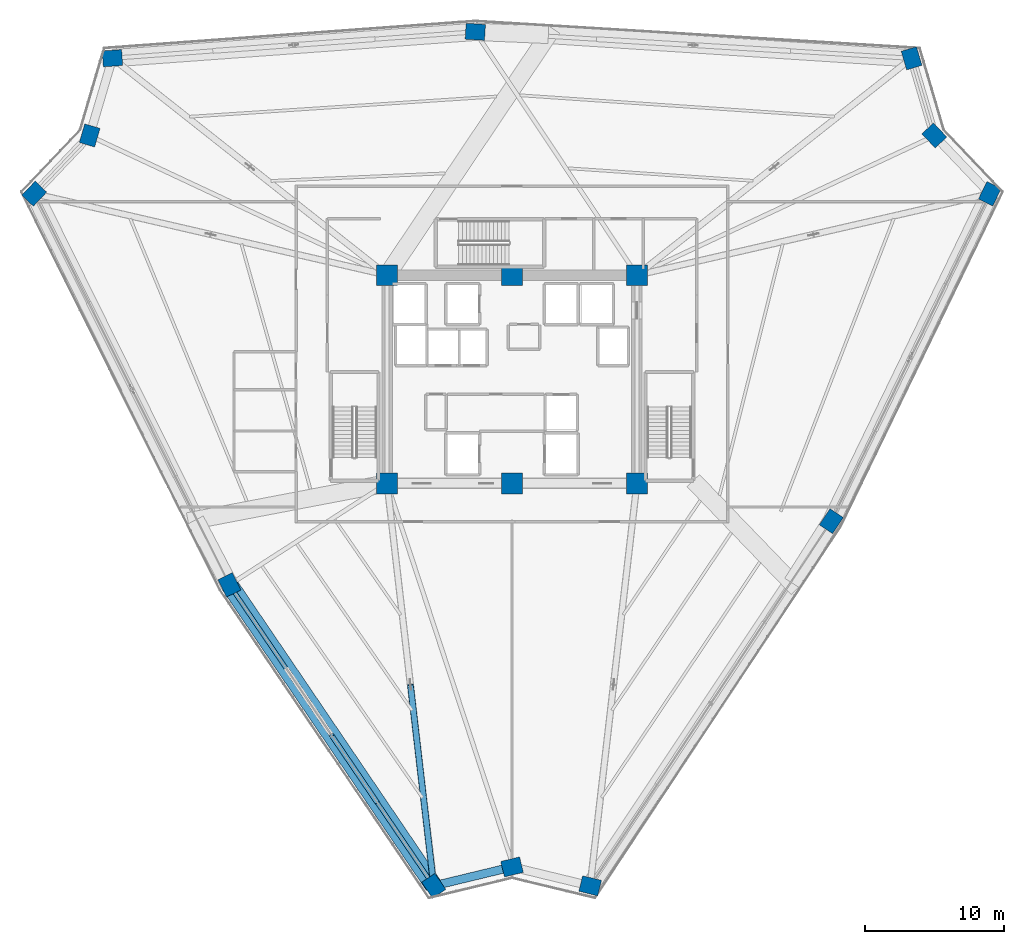
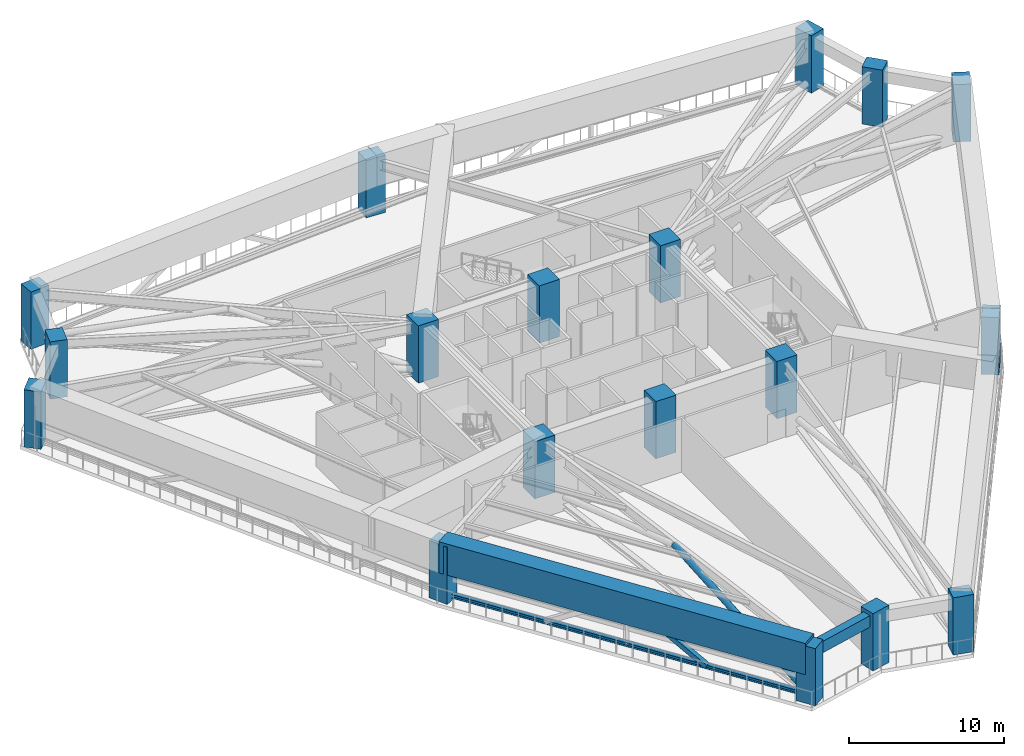
# One storey, part 1 of 27: 18 columns, 3 members, 2 beams.
"""IFC4 building model written with IfcOpenShell, lengths in metres."""

from ifc_helpers import new_model, si_unit, direction, frame, origin, origin_2d, place, context, subcontext, project, spatial, rectangle, hollow_rectangle, hollow_circle, i_section, extrude, source, transform, mapped, material, material_profile, profile_set, type_object, element, save


model = new_model("IFC4")

# Units and contexts
model_context = context("Model", 3, precision=1e-05, world=origin(), true_north=direction((0.0, 1.0)))
body_context = subcontext(model_context, "Body", "Model", "MODEL_VIEW")
ifc_project = project(units=[si_unit("LENGTHUNIT", "METRE"), si_unit("AREAUNIT", "SQUARE_METRE"), si_unit("VOLUMEUNIT", "CUBIC_METRE"), si_unit("PLANEANGLEUNIT", "RADIAN"), si_unit("MASSUNIT", "GRAM", prefix="KILO")], contexts=[model_context])

# Site, building, storey
site_placement = place(None, origin())
site = spatial("IfcSite", under=ifc_project, at=site_placement, CompositionType="ELEMENT")
building_placement = place(site_placement, origin())
building = spatial("IfcBuilding", under=site, at=building_placement, Name="Liaohun Quay Tower", CompositionType="ELEMENT")
storey_placement = place(building_placement, frame((0.0, 0.0, 185.25)))
storey = spatial("IfcBuildingStorey", under=building, at=storey_placement, Name="L48", CompositionType="ELEMENT", Elevation=185.25)

# Columns
ifc_material_1 = material(Name="Concrete C60", Category="concrete")
ifc_material_profile_1 = material_profile(ifc_material_1, rectangle(XDim=1.5, YDim=1.5, at=origin_2d()), Name="RC1500x1500")
ifc_profile_set_1 = profile_set([ifc_material_profile_1], Name="Concrete C60")
column_type_1 = type_object("IfcColumnType", Name="COL-CC-Z2", PredefinedType="COLUMN", material=ifc_profile_set_1)
shared_shape_1 = source(origin(), body_context, "Body", "SweptSolid", [
    extrude(rectangle(XDim=1.5, YDim=1.5, at=origin_2d()), origin(), (0.0, 0.0, 1.0), 4.5),
])
for number, where, z_axis, x_axis, name in (
    (1, (51.0, 46.5, 0.0), (0.0, 0.0, 1.0), (1.0, 0.0, 0.0), "L48 Core Column CC1"),
    (2, (60.0, 46.5, 0.0), (0.0, 0.0, 1.0), (1.0, 0.0, 0.0), "L48 Core Column CC2"),
    (3, (69.0, 46.5, 0.0), (0.0, 0.0, 1.0), (1.0, 0.0, 0.0), "L48 Core Column CC3"),
    (4, (69.0, 61.5, 0.0), (0.0, 0.0, 1.0), (1.0, 0.0, 0.0), "L48 Core Column CC4"),
    (5, (60.0, 61.5, 0.0), (0.0, 0.0, 1.0), (1.0, 0.0, 0.0), "L48 Core Column CC5"),
    (6, (51.0, 61.5, 0.0), (0.0, 0.0, 1.0), (1.0, 0.0, 0.0), "L48 Core Column CC6"),
):
    element("IfcColumn", number, at=place(storey_placement, frame(where, z_axis=z_axis, x_axis=x_axis)), inside=storey, type_object=column_type_1, Name=name, PredefinedType="COLUMN", context=body_context, shape_type="MappedRepresentation", body=[
        mapped(shared_shape_1, transform((0.0, 0.0, 0.0), x_axis=(1.0, 0.0, 0.0), y_axis=(0.0, 1.0, 0.0), z_axis=(0.0, 0.0, 1.0), scale=1.0)),
    ])
ifc_material_profile_2 = material_profile(ifc_material_1, rectangle(XDim=1.39990234375, YDim=1.14990234375, at=origin_2d()), Name="RC1400x1150")
ifc_profile_set_2 = profile_set([ifc_material_profile_2], Name="Concrete C60")
column_type_2 = type_object("IfcColumnType", Name="COL-PIER-Z2", PredefinedType="COLUMN", material=ifc_profile_set_2)
shared_shape_2 = source(origin(), body_context, "Body", "SweptSolid", [
    extrude(rectangle(XDim=1.39990234375, YDim=1.14990234375, at=origin_2d()), origin(), (0.0, 0.0, 1.0), 4.5),
])
for number, where, z_axis, x_axis, name in (
    (7, (54.362060546875, 17.50390625, 0.0), (0.0, 0.0, 1.0), (-0.561505829755, 0.827472780913, 0.0), "L48 Perimeter Pier PC01"),
    (8, (39.64208984375, 39.193115234375, 0.0), (0.0, 0.0, 1.0), (-0.446510176944, 0.894778554664, 0.0), "L48 Perimeter Pier PC02"),
    (9, (25.580078125, 67.3701171875, 0.0), (0.0, 0.0, 1.0), (0.68936671806, 0.724412539946, 0.0), "L48 Perimeter Pier PC03"),
    (10, (29.572998046875, 71.56689453125, 0.0), (0.0, 0.0, 1.0), (0.28284371374, 0.959166009405, 0.0), "L48 Perimeter Pier PC04"),
    (11, (31.214111328125, 77.131103515625, 0.0), (0.0, 0.0, 1.0), (0.997365364088, 0.072541922484, 0.0), "L48 Perimeter Pier PC05"),
    (12, (57.35595703125, 79.032958984375, 0.0), (0.0, 0.0, 1.0), (-0.998156047572, 0.06070012105, 0.0), "L48 Perimeter Pier PC06"),
    (13, (88.7880859375, 77.1240234375, 0.0), (0.0, 0.0, 1.0), (-0.28284371374, 0.959166009405, 0.0), "L48 Perimeter Pier PC07"),
    (14, (90.427001953125, 71.56689453125, 0.0), (0.0, 0.0, 1.0), (-0.68936671806, 0.724412539946, 0.0), "L48 Perimeter Pier PC08"),
    (15, (94.425048828125, 67.364990234375, 0.0), (0.0, 0.0, 1.0), (0.435859534333, 0.900014703397, 0.0), "L48 Perimeter Pier PC09"),
    (16, (83.001953125, 43.77392578125, 0.0), (0.0, 0.0, 1.0), (0.551645870628, 0.834078433613, 0.0), "L48 Perimeter Pier PC10"),
    (17, (65.631103515625, 17.506103515625, 0.0), (0.0, 0.0, 1.0), (-0.972043021443, 0.234802820391, 0.0), "L48 Perimeter Pier PC11"),
    (18, (60.0, 18.865966796875, 0.0), (0.0, 0.0, 1.0), (0.972043021443, 0.234802820391, 0.0), "L48 Perimeter Pier PC12"),
):
    element("IfcColumn", number, at=place(storey_placement, frame(where, z_axis=z_axis, x_axis=x_axis)), inside=storey, type_object=column_type_2, Name=name, PredefinedType="COLUMN", context=body_context, shape_type="MappedRepresentation", body=[
        mapped(shared_shape_2, transform((0.0, 0.0, 0.0), x_axis=(1.0, 0.0, 0.0), y_axis=(0.0, 1.0, 0.0), z_axis=(0.0, 0.0, 1.0), scale=1.0)),
    ])

# Beams
ifc_material_2 = material(Name="Precast concrete C55", Category="concrete")
ifc_material_profile_3 = material_profile(ifc_material_2, rectangle(XDim=0.60009765625, YDim=0.89990234375, at=origin_2d()), Name="RC600x900")
ifc_profile_set_3 = profile_set([ifc_material_profile_3], Name="Precast concrete C55")
beam_type_1 = type_object("IfcBeamType", Name="BM-SPD-Z2", PredefinedType="SPANDREL", material=ifc_profile_set_3)
shared_shape_3 = source(origin(), body_context, "Body", "SweptSolid", [
    extrude(rectangle(XDim=0.60009765625, YDim=0.89990234375, at=origin_2d()), origin(), (0.0, 0.0, 1.0), 5.800048828125),
])
beam_1_placement = place(storey_placement, frame((60.0, 18.865966796875, 3.77001953125), z_axis=(-0.972035840862, -0.234832544761, 0.0), x_axis=(0.234832544761, -0.972035840862, 0.0)))
element("IfcBeam", 19, at=beam_1_placement, inside=storey, type_object=beam_type_1, Name="L48 Precast Spandrel Beam PC12-PC01", PredefinedType="SPANDREL", context=body_context, shape_type="MappedRepresentation", body=[
    mapped(shared_shape_3, transform((0.0, 0.0, 0.0), x_axis=(1.0, 0.0, 0.0), y_axis=(0.0, 1.0, 0.0), z_axis=(0.0, 0.0, 1.0), scale=1.0)),
])
ifc_material_profile_4 = material_profile(ifc_material_1, rectangle(XDim=1.25, YDim=2.449951171875, at=origin_2d()), Name="RC1250x2450")
ifc_profile_set_4 = profile_set([ifc_material_profile_4], Name="Concrete C60")
beam_type_2 = type_object("IfcBeamType", Name="BM-TRF-1", PredefinedType="BEAM", material=ifc_profile_set_4)
shared_shape_4 = source(origin(), body_context, "Body", "SweptSolid", [
    extrude(rectangle(XDim=1.25, YDim=2.449951171875, at=origin_2d()), origin(), (0.0, 0.0, 1.0), 26.212646484375),
])
beam_2_placement = place(storey_placement, frame((54.362060546875, 17.50390625, 3.5), z_axis=(-0.561561318488, 0.827435124694, 0.0), x_axis=(-0.827435124694, -0.561561318488, 0.0)))
element("IfcBeam", 20, at=beam_2_placement, inside=storey, type_object=beam_type_2, Name="L48 Zone-Break Transfer Spandrel PC01-PC02", PredefinedType="BEAM", context=body_context, shape_type="MappedRepresentation", body=[
    mapped(shared_shape_4, transform((0.0, 0.0, 0.0), x_axis=(1.0, 0.0, 0.0), y_axis=(0.0, 1.0, 0.0), z_axis=(0.0, 0.0, 1.0), scale=1.0)),
])

# Members
ifc_material_3 = material(Name="Steel Q420D", Category="steel")
ifc_material_profile_5 = material_profile(ifc_material_3, hollow_circle(Radius=0.228515625, WallThickness=0.02001953125, at=origin_2d()), Name="CHS457x20")
ifc_profile_set_5 = profile_set([ifc_material_profile_5], Name="Steel Q420D")
member_type_1 = type_object("IfcMemberType", Name="MEM-OUT-DG1", PredefinedType="BRACE", material=ifc_profile_set_5)
shared_shape_5 = source(origin(), body_context, "Body", "SweptSolid", [
    extrude(hollow_circle(Radius=0.228515625, WallThickness=0.02001953125, at=origin_2d()), origin(), (0.0, 0.0, 1.0), 15.025390625),
])
member_1_placement = place(storey_placement, frame((52.680908203125, 32.001953125, 3.919921875), z_axis=(0.111887202674, -0.964901197155, -0.237585634258), x_axis=(0.993344016373, 0.115185351218, 0.0)))
element("IfcMember", 21, at=member_1_placement, inside=storey, type_object=member_type_1, Name="L48 Outrigger Diagonal OD-01B", PredefinedType="BRACE", context=body_context, shape_type="MappedRepresentation", body=[
    mapped(shared_shape_5, transform((0.0, 0.0, 0.0), x_axis=(1.0, 0.0, 0.0), y_axis=(0.0, 1.0, 0.0), z_axis=(0.0, 0.0, 1.0), scale=1.0)),
])
ifc_material_4 = material(Name="Steel Q355D", Category="steel")
ifc_material_profile_6 = material_profile(ifc_material_4, i_section(OverallWidth=0.300048828125, OverallDepth=0.300048828125, WebThickness=0.010009765625, FlangeThickness=0.014892578125, at=origin_2d()), Name="HW300x300x10x15")
ifc_profile_set_6 = profile_set([ifc_material_profile_6], Name="Steel Q355D")
member_type_2 = type_object("IfcMemberType", Name="MEM-BLT-CHD", PredefinedType="CHORD", material=ifc_profile_set_6)
shared_shape_6 = source(origin(), body_context, "Body", "SweptSolid", [
    extrude(i_section(OverallWidth=0.300048828125, OverallDepth=0.300048828125, WebThickness=0.010009765625, FlangeThickness=0.014892578125, at=origin_2d()), origin(), (0.0, 0.0, 1.0), 26.212646484375),
])
member_2_placement = place(storey_placement, frame((54.362060546875, 17.50390625, 0.35009765625), z_axis=(-0.561561318488, 0.827435124694, 0.0), x_axis=(-0.827435124694, -0.561561318488, 0.0)))
element("IfcMember", 22, at=member_2_placement, inside=storey, type_object=member_type_2, Name="L48 Belt Truss Bottom Chord BC-1-01", PredefinedType="CHORD", context=body_context, shape_type="MappedRepresentation", body=[
    mapped(shared_shape_6, transform((0.0, 0.0, 0.0), x_axis=(1.0, 0.0, 0.0), y_axis=(0.0, 1.0, 0.0), z_axis=(0.0, 0.0, 1.0), scale=1.0)),
])
ifc_material_profile_7 = material_profile(ifc_material_4, hollow_rectangle(XDim=0.35009765625, YDim=0.35009765625, WallThickness=0.01611328125, at=origin_2d()), Name="SHS350x350x16")
ifc_profile_set_7 = profile_set([ifc_material_profile_7], Name="Steel Q355D")
member_type_3 = type_object("IfcMemberType", Name="MEM-BLT-DG2", PredefinedType="BRACE", material=ifc_profile_set_7)
shared_shape_7 = source(origin(), body_context, "Body", "SweptSolid", [
    extrude(hollow_rectangle(XDim=0.35009765625, YDim=0.35009765625, WallThickness=0.01611328125, at=origin_2d()), origin(), (0.0, 0.0, 1.0), 6.782470703125),
])
member_3_placement = place(storey_placement, frame((50.239990234375, 23.576904296875, 0.35009765625), z_axis=(-0.47740912487, 0.703605229875, 0.5263270922), x_axis=(-0.827496145768, -0.56147139619, 0.0)))
element("IfcMember", 23, at=member_3_placement, inside=storey, type_object=member_type_3, Name="L48 Belt Truss Diagonal BD-01A", PredefinedType="BRACE", context=body_context, shape_type="MappedRepresentation", body=[
    mapped(shared_shape_7, transform((0.0, 0.0, 0.0), x_axis=(1.0, 0.0, 0.0), y_axis=(0.0, 1.0, 0.0), z_axis=(0.0, 0.0, 1.0), scale=1.0)),
])

save(model, "model.ifc")
